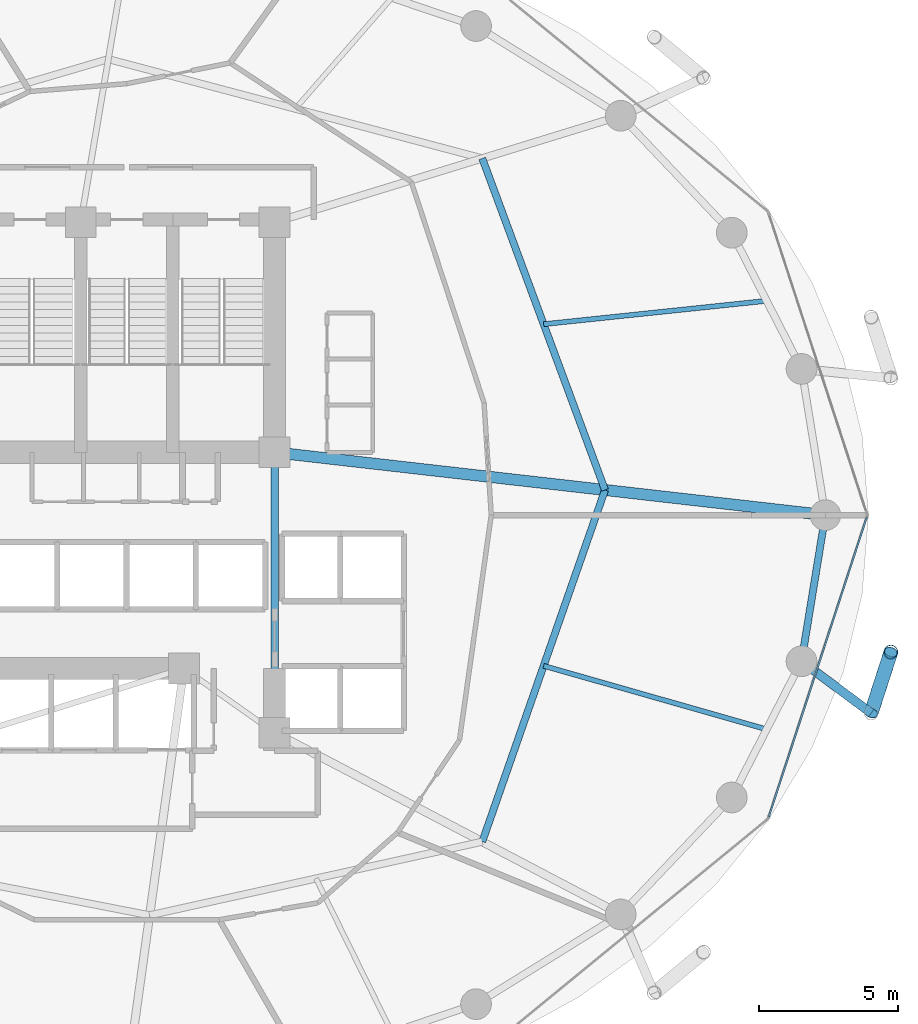
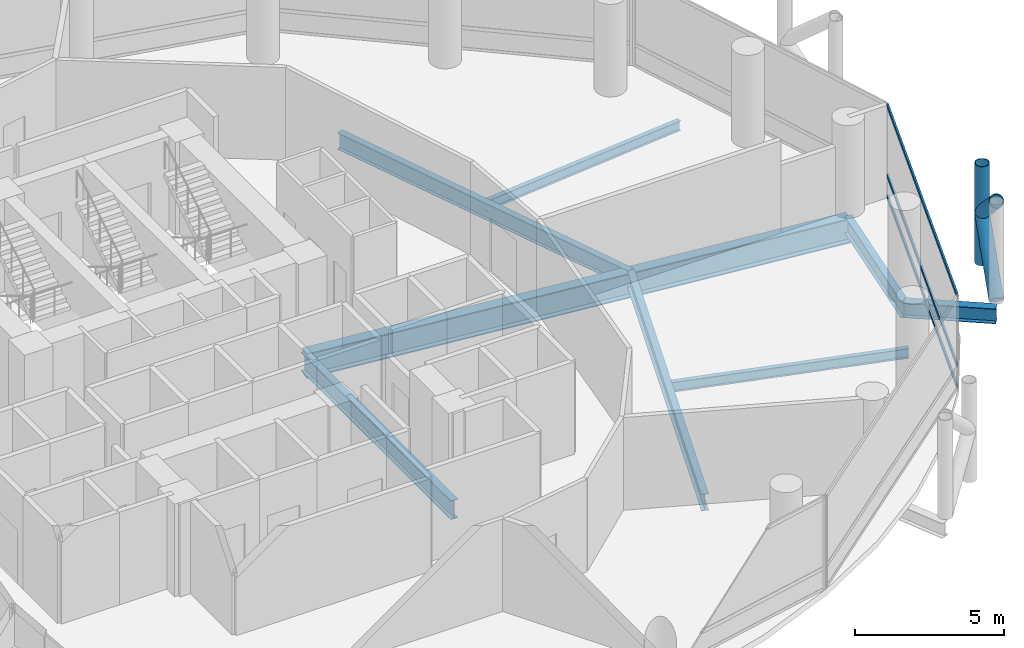
# One storey, part 11 of 24: 8 beams, 6 members, 1 element without a shape of its own.
"""IFC4 building model written with IfcOpenShell, lengths in metres."""

from ifc_helpers import new_model, si_unit, direction, frame, origin, origin_2d, place, context, subcontext, project, spatial, hollow_rectangle, hollow_circle, i_section, extrude, material, layer, layer_set, material_profile, profile_set, type_object, element, aggregate, save


model = new_model("IFC4")

# Units and contexts
model_context = context("Model", 3, precision=1e-05, world=origin(), true_north=direction((0.0, 1.0)))
body_context = subcontext(model_context, "Body", "Model", "MODEL_VIEW")
ifc_project = project(units=[si_unit("LENGTHUNIT", "METRE"), si_unit("AREAUNIT", "SQUARE_METRE"), si_unit("VOLUMEUNIT", "CUBIC_METRE"), si_unit("PLANEANGLEUNIT", "RADIAN"), si_unit("MASSUNIT", "GRAM", prefix="KILO")], contexts=[model_context])

# Site, building, storey
site_placement = place(None, origin())
site = spatial("IfcSite", under=ifc_project, at=site_placement, CompositionType="ELEMENT")
building_placement = place(site_placement, origin())
building = spatial("IfcBuilding", under=site, at=building_placement, Name="Nuhasar Tower", CompositionType="ELEMENT")
storey_placement = place(building_placement, frame((0.0, 0.0, 29.10009765625)))
storey = spatial("IfcBuildingStorey", under=building, at=storey_placement, Name="L06", CompositionType="ELEMENT", Elevation=29.10009765625)

# Beams
ifc_material_1 = material(Name="Steel S355", Category="steel")
ifc_material_profile_1 = material_profile(ifc_material_1, i_section(OverallWidth=0.25390625, OverallDepth=0.68408203125, WebThickness=0.012451171875, FlangeThickness=0.018798828125, at=origin_2d()), Name="W27X94")
ifc_profile_set_1 = profile_set([ifc_material_profile_1], Name="Steel S355")
beam_type_1 = type_object("IfcBeamType", Name="BM-INRING-W27X94", PredefinedType="BEAM", material=ifc_profile_set_1)
beam_1_placement = place(storey_placement, frame((51.748046875, 15.089111328125, -0.60205078125), z_axis=(0.329554049858, 0.944136710558, 0.0), x_axis=(-0.944136710558, 0.329554049858, 0.0)))
element("IfcBeam", 1, at=beam_1_placement, inside=storey, type_object=beam_type_1, Name="L06 Inner Header Beam 03", PredefinedType="BEAM", context=body_context, shape_type="SweptSolid", body=[
    extrude(i_section(OverallWidth=0.25390625, OverallDepth=0.68408203125, WebThickness=0.012451171875, FlangeThickness=0.018798828125, at=origin_2d()), origin(), (0.0, 0.0, 1.0), 13.35693359375),
])
beam_2_placement = place(storey_placement, frame((56.14990234375, 27.699951171875, -0.60205078125), z_axis=(-0.34715757476, 0.937806812881, 0.0), x_axis=(-0.937806812881, -0.34715757476, 0.0)))
element("IfcBeam", 2, at=beam_2_placement, inside=storey, type_object=beam_type_1, Name="L06 Inner Header Beam 04", PredefinedType="BEAM", context=body_context, shape_type="SweptSolid", body=[
    extrude(i_section(OverallWidth=0.25390625, OverallDepth=0.68408203125, WebThickness=0.012451171875, FlangeThickness=0.018798828125, at=origin_2d()), origin(), (0.0, 0.0, 1.0), 12.6796875),
])
ifc_material_profile_2 = material_profile(ifc_material_1, i_section(OverallWidth=0.177978515625, OverallDepth=0.406005859375, WebThickness=0.0078125, FlangeThickness=0.0126953125, at=origin_2d()), Name="W16X40")
ifc_profile_set_2 = profile_set([ifc_material_profile_2], Name="Steel S355")
beam_type_2 = type_object("IfcBeamType", Name="BM-JST-W16X40", PredefinedType="JOIST", material=ifc_profile_set_2)
beam_3_placement = place(storey_placement, frame((53.948974609375, 21.39501953125, -0.463134765625), z_axis=(0.961730884496, -0.273995813484, 0.0), x_axis=(0.273995813484, 0.961730884496, 0.0)))
element("IfcBeam", 3, at=beam_3_placement, inside=storey, type_object=beam_type_2, Name="L06 Secondary Floor Joist 03", PredefinedType="JOIST", context=body_context, shape_type="SweptSolid", body=[
    extrude(i_section(OverallWidth=0.177978515625, OverallDepth=0.406005859375, WebThickness=0.0078125, FlangeThickness=0.0126953125, at=origin_2d()), origin(), (0.0, 0.0, 1.0), 8.314208984375),
])
beam_4_placement = place(storey_placement, frame((53.948974609375, 33.64501953125, -0.463134765625), z_axis=(0.994554594377, 0.104216883485, 0.0), x_axis=(-0.104216883485, 0.994554594377, 0.0)))
element("IfcBeam", 4, at=beam_4_placement, inside=storey, type_object=beam_type_2, Name="L06 Secondary Floor Joist 04", PredefinedType="JOIST", context=body_context, shape_type="SweptSolid", body=[
    extrude(i_section(OverallWidth=0.177978515625, OverallDepth=0.406005859375, WebThickness=0.0078125, FlangeThickness=0.0126953125, at=origin_2d()), origin(), (0.0, 0.0, 1.0), 8.039794921875),
])
ifc_material_profile_3 = material_profile(ifc_material_1, i_section(OverallWidth=0.26611328125, OverallDepth=0.779052734375, WebThickness=0.0166015625, FlangeThickness=0.030029296875, at=origin_2d()), Name="W30X148")
ifc_profile_set_3 = profile_set([ifc_material_profile_3], Name="Steel S355")
beam_type_3 = type_object("IfcBeamType", Name="BM-RAD-W30X148", PredefinedType="BEAM", material=ifc_profile_set_3)
beam_5_placement = place(storey_placement, frame((44.300048828125, 19.0, -0.650146484375), z_axis=(0.0, 1.0, 0.0), x_axis=(-1.0, 0.0, 0.0)))
element("IfcBeam", 5, at=beam_5_placement, inside=storey, type_object=beam_type_3, Name="L06 Core Ring Girder 3", PredefinedType="BEAM", context=body_context, shape_type="SweptSolid", body=[
    extrude(i_section(OverallWidth=0.26611328125, OverallDepth=0.779052734375, WebThickness=0.0166015625, FlangeThickness=0.030029296875, at=origin_2d()), origin(), (0.0, 0.0, 1.0), 10.050048828125),
])
ifc_material_profile_4 = material_profile(ifc_material_1, i_section(OverallWidth=0.256103515625, OverallDepth=0.693115234375, WebThickness=0.014404296875, FlangeThickness=0.023681640625, at=origin_2d()), Name="W27X114")
ifc_profile_set_4 = profile_set([ifc_material_profile_4], Name="Steel S355")
beam_type_4 = type_object("IfcBeamType", Name="BM-RING-W27X114", PredefinedType="SPANDREL", material=ifc_profile_set_4)
beam_6_placement = place(storey_placement, frame((63.196044921875, 21.55908203125, -0.606201171875), z_axis=(0.160826635486, 0.986982671235, 0.0), x_axis=(-0.986982671235, 0.160826635486, 0.0)))
element("IfcBeam", 6, at=beam_6_placement, inside=storey, type_object=beam_type_4, Name="L06 Perimeter Ring Spandrel 24", PredefinedType="SPANDREL", context=body_context, shape_type="SweptSolid", body=[
    extrude(i_section(OverallWidth=0.256103515625, OverallDepth=0.693115234375, WebThickness=0.014404296875, FlangeThickness=0.023681640625, at=origin_2d()), origin(), (0.0, 0.0, 1.0), 5.31005859375),
])
ifc_material_profile_5 = material_profile(ifc_material_1, i_section(OverallWidth=0.323974609375, OverallDepth=0.611083984375, WebThickness=0.0126953125, FlangeThickness=0.01904296875, at=origin_2d()), Name="W24X104")
ifc_profile_set_5 = profile_set([ifc_material_profile_5], Name="Steel S355")
beam_type_5 = type_object("IfcBeamType", Name="BM-TIE-W24X104", PredefinedType="BEAM", material=ifc_profile_set_5)
beam_7_placement = place(storey_placement, frame((63.196044921875, 21.55908203125, -0.565185546875), z_axis=(0.802113478067, -0.597171640572, 0.0), x_axis=(0.597171640572, 0.802113478067, 0.0)))
element("IfcBeam", 7, at=beam_7_placement, inside=storey, type_object=beam_type_5, Name="L06 Exoskeleton Node Tie Beam 12", PredefinedType="BEAM", context=body_context, shape_type="SweptSolid", body=[
    extrude(i_section(OverallWidth=0.323974609375, OverallDepth=0.611083984375, WebThickness=0.0126953125, FlangeThickness=0.01904296875, at=origin_2d()), origin(), (0.0, 0.0, 1.0), 3.111572265625),
])
ifc_material_2 = material(Name="Steel S460", Category="steel")
ifc_material_profile_6 = material_profile(ifc_material_2, i_section(OverallWidth=0.40087890625, OverallDepth=1.010009765625, WebThickness=0.023681640625, FlangeThickness=0.0419921875, at=origin_2d()), Name="W40X297")
ifc_profile_set_6 = profile_set([ifc_material_profile_6], Name="Steel S460")
beam_type_6 = type_object("IfcBeamType", Name="BM-XFER-W40X297", PredefinedType="USERDEFINED", material=ifc_profile_set_6)
beam_8_placement = place(storey_placement, frame((44.300048828125, 29.050048828125, -0.76513671875), z_axis=(0.993573147212, -0.113191877531, 0.0), x_axis=(0.113191877531, 0.993573147212, 0.0)))
element("IfcBeam", 8, at=beam_8_placement, inside=storey, type_object=beam_type_6, Name="L06 Radial Floor Girder 04", ObjectType="GIRDER", PredefinedType="USERDEFINED", context=body_context, shape_type="SweptSolid", body=[
    extrude(i_section(OverallWidth=0.40087890625, OverallDepth=1.010009765625, WebThickness=0.023681640625, FlangeThickness=0.0419921875, at=origin_2d()), origin(), (0.0, 0.0, 1.0), 19.877685546875),
])

# Curtain wall, members
ifc_material_3 = material(Name="Aluminium 6063-T6", Category="aluminium")
ifc_layer = layer(ifc_material_3, 0.199951171875)
ifc_layer_set = layer_set([ifc_layer], Name="Aluminium 6063-T6")
curtain_wall_type = type_object("IfcCurtainWallType", Name="CW-Z1-OFF", PredefinedType="NOTDEFINED", material=ifc_layer_set)
curtain_wall_placement = place(storey_placement, origin())
curtain_wall = element("IfcCurtainWall", 9, at=curtain_wall_placement, inside=storey, type_object=curtain_wall_type, Name="L06 Unitised Curtain Wall 12", PredefinedType="NOTDEFINED")
ifc_material_profile_7 = material_profile(ifc_material_3, hollow_rectangle(XDim=0.06494140625, YDim=0.14990234375, WallThickness=0.00439453125, at=origin_2d()), Name="CWT-2")
ifc_profile_set_7 = profile_set([ifc_material_profile_7], Name="Aluminium 6063-T6")
member_type_1 = type_object("IfcMemberType", Name="CW-TRN-S2", PredefinedType="USERDEFINED", material=ifc_profile_set_7)
member_1_placement = place(storey_placement, frame((62.022216796875, 15.981689453125, 0.032470703125), z_axis=(0.310818687697, 0.950469222741, 0.0), x_axis=(-0.950469222741, 0.310818687697, 0.0)))
member_1 = element("IfcMember", 10, at=member_1_placement, type_object=member_type_1, Name="CW-Z1 transom 1.1", ObjectType="TRANSOM", PredefinedType="USERDEFINED", context=body_context, shape_type="SweptSolid", body=[
    extrude(hollow_rectangle(XDim=0.06494140625, YDim=0.14990234375, WallThickness=0.00439453125, at=origin_2d()), origin(), (0.0, 0.0, 1.0), 11.317138671875),
])
member_2_placement = place(storey_placement, frame((62.022216796875, 15.981689453125, 0.89990234375), z_axis=(0.310818687697, 0.950469222741, 0.0), x_axis=(-0.950469222741, 0.310818687697, 0.0)))
member_2 = element("IfcMember", 11, at=member_2_placement, type_object=member_type_1, Name="CW-Z1 transom 1.2", ObjectType="TRANSOM", PredefinedType="USERDEFINED", context=body_context, shape_type="SweptSolid", body=[
    extrude(hollow_rectangle(XDim=0.06494140625, YDim=0.14990234375, WallThickness=0.00439453125, at=origin_2d()), origin(), (0.0, 0.0, 1.0), 11.317138671875),
])
member_3_placement = place(storey_placement, frame((62.022216796875, 15.981689453125, 3.75732421875), z_axis=(0.310818687697, 0.950469222741, 0.0), x_axis=(-0.950469222741, 0.310818687697, 0.0)))
member_3 = element("IfcMember", 12, at=member_3_placement, type_object=member_type_1, Name="CW-Z1 transom 1.3", ObjectType="TRANSOM", PredefinedType="USERDEFINED", context=body_context, shape_type="SweptSolid", body=[
    extrude(hollow_rectangle(XDim=0.06494140625, YDim=0.14990234375, WallThickness=0.00439453125, at=origin_2d()), origin(), (0.0, 0.0, 1.0), 11.317138671875),
])
aggregate(curtain_wall, [member_1, member_2, member_3])

# Members
ifc_material_profile_8 = material_profile(ifc_material_2, hollow_circle(Radius=0.25390625, WallThickness=0.025390625, at=origin_2d()), Name="HSS508X25.4")
ifc_profile_set_8 = profile_set([ifc_material_profile_8], Name="Steel S460")
member_type_2 = type_object("IfcMemberType", Name="EXO-BRONZE-508", PredefinedType="BRACE", material=ifc_profile_set_8)
member_4_placement = place(storey_placement, frame((66.39990234375, 21.889892578125, 0.0), z_axis=(0.0, 0.0, 1.0), x_axis=(1.0, 0.0, 0.0)))
element("IfcMember", 13, at=member_4_placement, inside=storey, type_object=member_type_2, Name="L06 Exoskeleton Chord Column EC-12B", PredefinedType="BRACE", context=body_context, shape_type="SweptSolid", body=[
    extrude(hollow_circle(Radius=0.25390625, WallThickness=0.025390625, at=origin_2d()), origin(), (0.0, 0.0, 1.0), 4.0498046875),
])
for number, where, z_axis, x_axis, name in (
    (14, (65.69189453125, 19.700927734375, 0.0), (0.231011836313, 0.714224870475, 0.660693851854), (-0.951468282519, 0.307746823478, 0.0), "L06 Bronze Diagrid Brace W1-12"),
    (15, (66.39990234375, 21.889892578125, 2.02490234375), (-0.231011836313, -0.714224870475, 0.660693851854), (0.951468282519, -0.307746823478, 0.0), "L06 Bronze Diagrid Brace W2-12"),
):
    element("IfcMember", number, at=place(storey_placement, frame(where, z_axis=z_axis, x_axis=x_axis)), inside=storey, type_object=member_type_2, Name=name, PredefinedType="BRACE", context=body_context, shape_type="SweptSolid", body=[
        extrude(hollow_circle(Radius=0.25390625, WallThickness=0.025390625, at=origin_2d()), origin(), (0.0, 0.0, 1.0), 3.064697265625),
    ])

save(model, "model.ifc")
